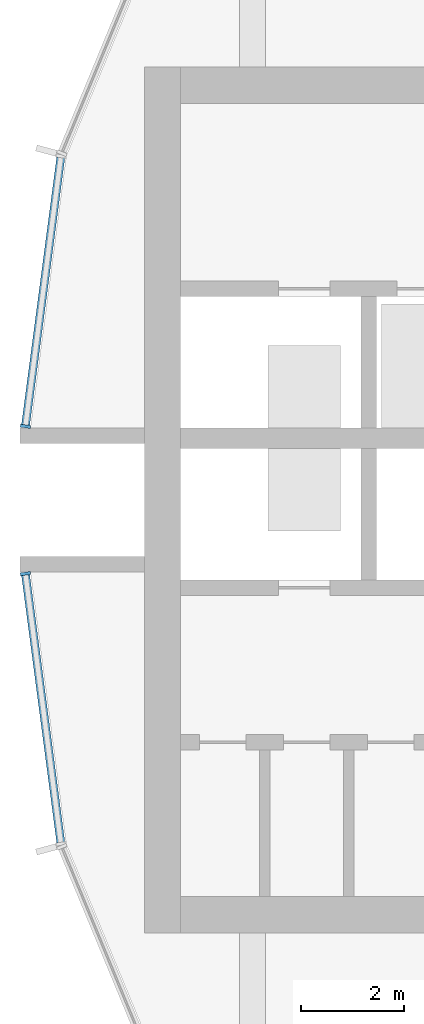
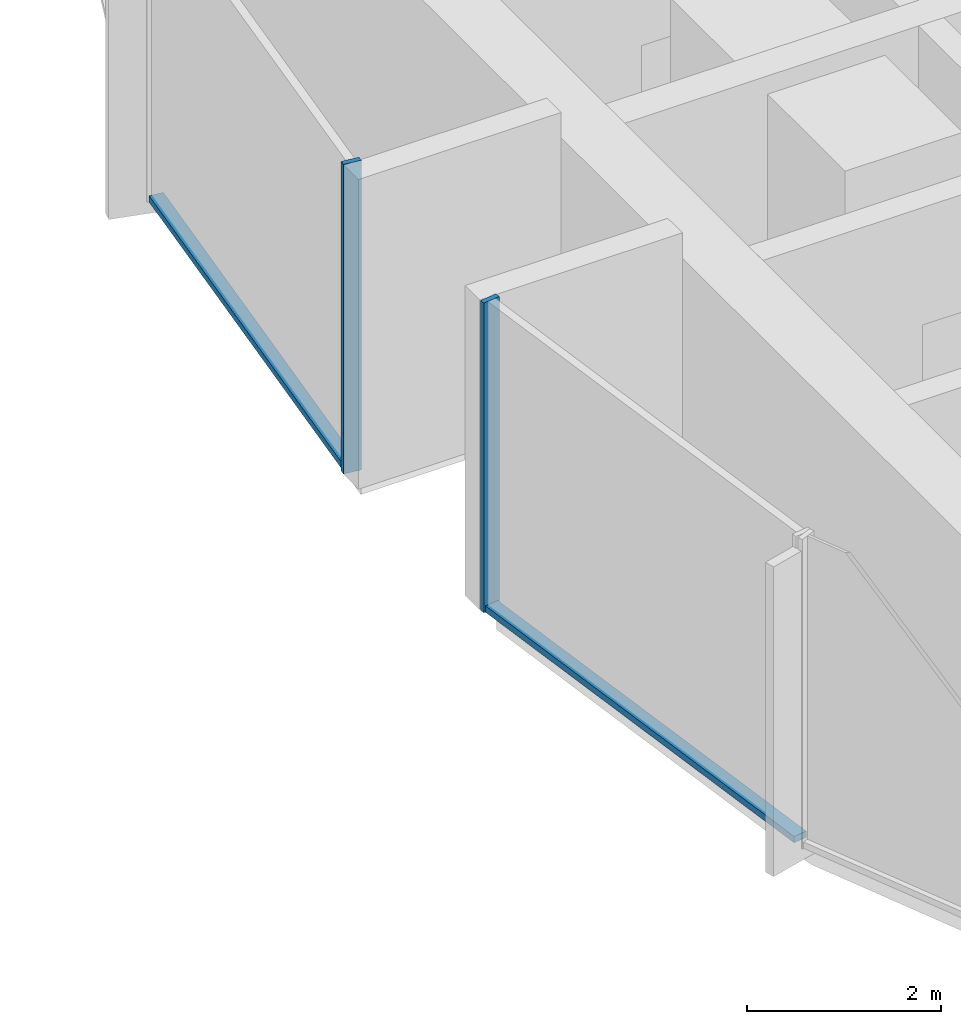
# One storey, part 3 of 15: 4 members, 2 elements without a shape of their own.
"""IFC4 building model written with IfcOpenShell, lengths in metres."""

from ifc_helpers import new_model, si_unit, direction, frame, origin, origin_2d, place, context, subcontext, project, spatial, rectangle, extrude, material, layer, layer_set, material_profile, profile_set, type_object, element, aggregate, save


model = new_model("IFC4")

# Units and contexts
model_context = context("Model", 3, precision=1e-05, world=origin(), true_north=direction((0.0, 1.0)))
body_context = subcontext(model_context, "Body", "Model", "MODEL_VIEW")
ifc_project = project(units=[si_unit("LENGTHUNIT", "METRE"), si_unit("AREAUNIT", "SQUARE_METRE"), si_unit("VOLUMEUNIT", "CUBIC_METRE"), si_unit("PLANEANGLEUNIT", "RADIAN"), si_unit("MASSUNIT", "GRAM", prefix="KILO")], contexts=[model_context])

# Site, building, storey
site_placement = place(None, origin())
site = spatial("IfcSite", under=ifc_project, at=site_placement, CompositionType="ELEMENT")
building_placement = place(site_placement, origin())
building = spatial("IfcBuilding", under=site, at=building_placement, Name="Torre Brocal", CompositionType="ELEMENT")
storey_placement = place(building_placement, frame((0.0, 0.0, 126.300048828125)))
storey = spatial("IfcBuildingStorey", under=building, at=storey_placement, Name="L29", CompositionType="ELEMENT", Elevation=126.300048828125)

# Curtain wall, member
ifc_material_1 = material(Name="Aluminium and glass", Category="aluminium")
ifc_layer = layer(ifc_material_1, 0.199951171875)
ifc_layer_set = layer_set([ifc_layer], Name="Aluminium and glass")
curtain_wall_type = type_object("IfcCurtainWallType", Name="CW-1B CURTAIN WALL 3900 HIGH", PredefinedType="NOTDEFINED", material=ifc_layer_set)
curtain_wall_1_placement = place(storey_placement, origin())
curtain_wall_1 = element("IfcCurtainWall", 1, at=curtain_wall_1_placement, inside=storey, type_object=curtain_wall_type, Name="CW-1B RUN 12", PredefinedType="NOTDEFINED")
ifc_material_2 = material(Name="Aluminium, dark anodised", Category="aluminium")
ifc_material_profile_1 = material_profile(ifc_material_2, rectangle(XDim=0.199951171875, YDim=0.06005859375, at=origin_2d()), Name="CW-1B MULLION 60X200")
ifc_profile_set_1 = profile_set([ifc_material_profile_1], Name="Aluminium, dark anodised")
member_type_1 = type_object("IfcMemberType", Name="CW-1B MULLION 60X200", PredefinedType="MULLION", material=ifc_profile_set_1)
member_1_placement = place(storey_placement, frame((54.2890625, 76.4296875, 0.0), z_axis=(0.0, 0.0, 1.0), x_axis=(0.991444861374, -0.13052619222, 0.0)))
member_1 = element("IfcMember", 2, at=member_1_placement, type_object=member_type_1, Name="CW1B-3 mullion 2", PredefinedType="MULLION", context=body_context, shape_type="SweptSolid", body=[
    extrude(rectangle(XDim=0.199951171875, YDim=0.06005859375, at=origin_2d()), origin(), (0.0, 0.0, 1.0), 3.89990234375),
])

curtain_wall_2_placement = place(storey_placement, origin())
curtain_wall_2 = element("IfcCurtainWall", 3, at=curtain_wall_2_placement, inside=storey, type_object=curtain_wall_type, Name="CW-1B RUN 13", PredefinedType="NOTDEFINED")
member_2_placement = place(storey_placement, frame((54.2890625, 73.5703125, 0.0), z_axis=(0.0, 0.0, 1.0), x_axis=(0.991444861374, 0.13052619222, 0.0)))
member_2 = element("IfcMember", 4, at=member_2_placement, type_object=member_type_1, Name="CW1B-3 mullion 1", PredefinedType="MULLION", context=body_context, shape_type="SweptSolid", body=[
    extrude(rectangle(XDim=0.199951171875, YDim=0.06005859375, at=origin_2d()), origin(), (0.0, 0.0, 1.0), 3.89990234375),
])

# Member
ifc_material_3 = material(Name="Aluminium, dark anodised", Category="aluminium")
ifc_material_profile_2 = material_profile(ifc_material_3, rectangle(XDim=0.159912109375, YDim=0.080078125, at=origin_2d()), Name="CW-1B TRANSOM 160X80")
ifc_profile_set_2 = profile_set([ifc_material_profile_2], Name="Aluminium, dark anodised")
member_type_2 = type_object("IfcMemberType", Name="CW-1B TRANSOM 160X80", PredefinedType="USERDEFINED", material=ifc_profile_set_2)
member_3_placement = place(storey_placement, frame((54.9755859375, 81.643798828125, 0.0400390625), z_axis=(-0.130542677827, -0.991442690863, 0.0), x_axis=(0.991442690863, -0.130542677827, 0.0)))
member_3 = element("IfcMember", 5, at=member_3_placement, type_object=member_type_2, Name="CW1B-3 transom 1.1", ObjectType="TRANSOM", PredefinedType="USERDEFINED", context=body_context, shape_type="SweptSolid", body=[
    extrude(rectangle(XDim=0.159912109375, YDim=0.080078125, at=origin_2d()), origin(), (0.0, 0.0, 1.0), 5.22900390625),
])

aggregate(curtain_wall_1, [member_1, member_3])

member_4_placement = place(storey_placement, frame((54.29296875, 73.54052734375, 0.0400390625), z_axis=(0.130542677827, -0.991442690863, 0.0), x_axis=(0.991442690863, 0.130542677827, 0.0)))
member_4 = element("IfcMember", 6, at=member_4_placement, type_object=member_type_2, Name="CW1B-3 transom 1.1", ObjectType="TRANSOM", PredefinedType="USERDEFINED", context=body_context, shape_type="SweptSolid", body=[
    extrude(rectangle(XDim=0.159912109375, YDim=0.080078125, at=origin_2d()), origin(), (0.0, 0.0, 1.0), 5.22900390625),
])

aggregate(curtain_wall_2, [member_2, member_4])

save(model, "model.ifc")
